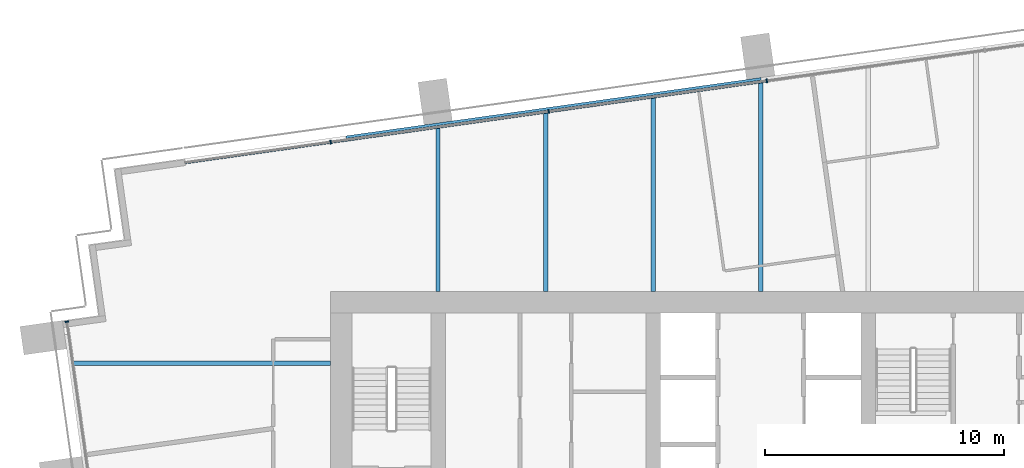
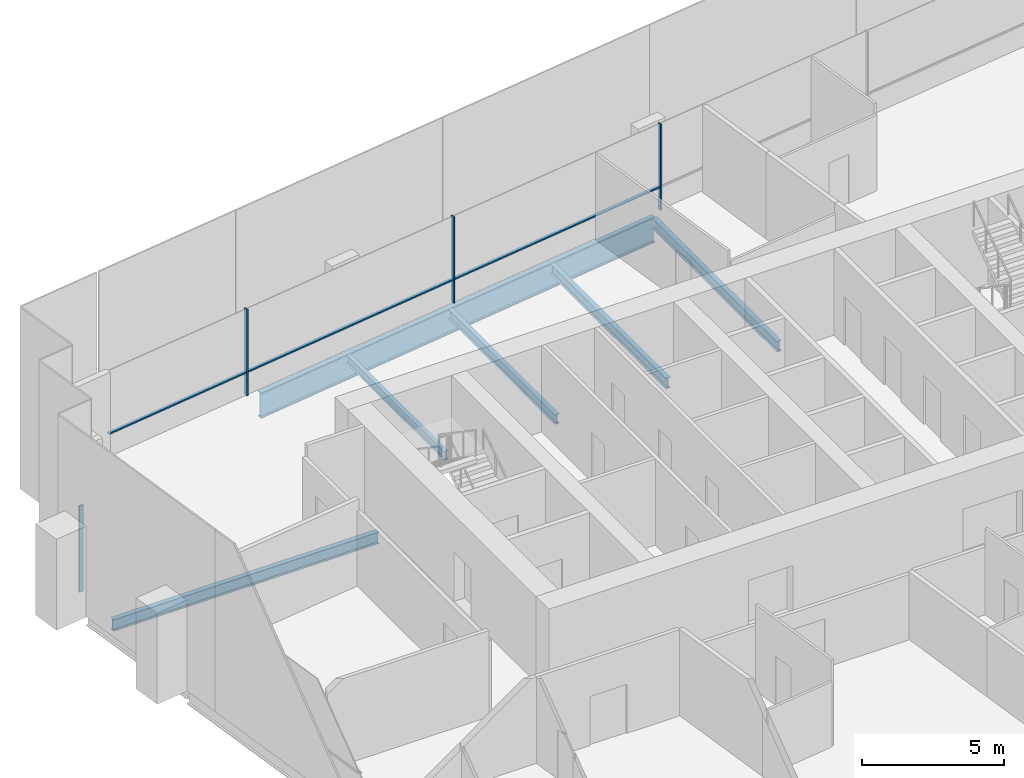
# One storey, part 6 of 17: 7 members, 6 beams, 2 elements without a shape of their own.
"""IFC4 building model written with IfcOpenShell, lengths in metres."""

from ifc_helpers import new_model, si_unit, direction, frame, origin, origin_2d, place, context, subcontext, project, spatial, rectangle, i_section, extrude, material, material_profile, profile_set, type_object, element, aggregate, save


model = new_model("IFC4")

# Units and contexts
model_context = context("Model", 3, precision=1e-05, world=origin(), true_north=direction((0.0, 1.0)))
body_context = subcontext(model_context, "Body", "Model", "MODEL_VIEW")
ifc_project = project(units=[si_unit("LENGTHUNIT", "METRE"), si_unit("AREAUNIT", "SQUARE_METRE"), si_unit("VOLUMEUNIT", "CUBIC_METRE"), si_unit("PLANEANGLEUNIT", "RADIAN"), si_unit("MASSUNIT", "GRAM", prefix="KILO")], contexts=[model_context])

# Site, building, storey
site_placement = place(None, origin())
site = spatial("IfcSite", under=ifc_project, at=site_placement, CompositionType="ELEMENT")
building_placement = place(site_placement, origin())
building = spatial("IfcBuilding", under=site, at=building_placement, Name="Rattan Terrace Tower", CompositionType="ELEMENT")
storey_placement = place(building_placement, frame((0.0, 0.0, 191.89990234375)))
storey = spatial("IfcBuildingStorey", under=building, at=storey_placement, Name="L44", CompositionType="ELEMENT", Elevation=191.89990234375)

# Curtain wall, members
ifc_material_1 = material(Name="Aluminium and glass", Category="aluminium")
curtain_wall_type = type_object("IfcCurtainWallType", Name="Facade Unitised Curtain Wall", PredefinedType="NOTDEFINED", material=ifc_material_1)
curtain_wall_1_placement = place(storey_placement, origin())
curtain_wall_1 = element("IfcCurtainWall", 1, at=curtain_wall_1_placement, inside=storey, type_object=curtain_wall_type, Name="Curtain wall L44-2", PredefinedType="NOTDEFINED")
ifc_material_2 = material(Name="Aluminium", Category="aluminium")
ifc_material_profile_1 = material_profile(ifc_material_2, rectangle(XDim=0.06005859375, YDim=0.159912109375, at=origin_2d()), Name="Aluminium 60x160")
ifc_profile_set_1 = profile_set([ifc_material_profile_1], Name="Aluminium")
member_type_1 = type_object("IfcMemberType", Name="Facade CW Mullion 60x160", PredefinedType="MULLION", material=ifc_profile_set_1)
member_1_placement = place(storey_placement, frame((0.25, 16.3125, 0.0), z_axis=(0.0, 0.0, 1.0), x_axis=(-0.990269702686, -0.139161474347, 0.0)))
member_1 = element("IfcMember", 2, at=member_1_placement, type_object=member_type_1, Name="Mullion cwl-L44-002.3", PredefinedType="MULLION", context=body_context, shape_type="SweptSolid", body=[
    extrude(rectangle(XDim=0.06005859375, YDim=0.159912109375, at=origin_2d()), origin(), (0.0, 0.0, 1.0), 3.7001953125),
])
member_2_placement = place(storey_placement, frame((-8.873291015625, 15.0302734375, 0.0), z_axis=(0.0, 0.0, 1.0), x_axis=(-0.990269702686, -0.139161474347, 0.0)))
member_2 = element("IfcMember", 3, at=member_2_placement, type_object=member_type_1, Name="Mullion cwl-L44-002.4", PredefinedType="MULLION", context=body_context, shape_type="SweptSolid", body=[
    extrude(rectangle(XDim=0.06005859375, YDim=0.159912109375, at=origin_2d()), origin(), (0.0, 0.0, 1.0), 3.7001953125),
])
member_3_placement = place(storey_placement, frame((-17.996826171875, 13.748291015625, 0.0), z_axis=(0.0, 0.0, 1.0), x_axis=(-0.990269702686, -0.139161474347, 0.0)))
member_3 = element("IfcMember", 4, at=member_3_placement, type_object=member_type_1, Name="Mullion cwl-L44-002.5", PredefinedType="MULLION", context=body_context, shape_type="SweptSolid", body=[
    extrude(rectangle(XDim=0.06005859375, YDim=0.159912109375, at=origin_2d()), origin(), (0.0, 0.0, 1.0), 3.7001953125),
])

# Curtain wall, member
curtain_wall_2_placement = place(storey_placement, origin())
curtain_wall_2 = element("IfcCurtainWall", 5, at=curtain_wall_2_placement, inside=storey, type_object=curtain_wall_type, Name="Curtain wall L44-3", PredefinedType="NOTDEFINED")
member_4_placement = place(storey_placement, frame((-29.037109375, 6.2333984375, 0.0), z_axis=(0.0, 0.0, 1.0), x_axis=(0.139190856006, -0.99026557327, 0.0)))
member_4 = element("IfcMember", 6, at=member_4_placement, type_object=member_type_1, Name="Mullion cwl-L44-003.1", PredefinedType="MULLION", context=body_context, shape_type="SweptSolid", body=[
    extrude(rectangle(XDim=0.06005859375, YDim=0.159912109375, at=origin_2d()), origin(), (0.0, 0.0, 1.0), 3.7001953125),
])
aggregate(curtain_wall_2, [member_4])

# Member
ifc_material_3 = material(Name="Aluminium", Category="aluminium")
ifc_material_profile_2 = material_profile(ifc_material_3, rectangle(XDim=0.1201171875, YDim=0.06005859375, at=origin_2d()), Name="Aluminium 120x60")
ifc_profile_set_2 = profile_set([ifc_material_profile_2], Name="Aluminium")
member_type_2 = type_object("IfcMemberType", Name="Facade CW Transom 120x60", PredefinedType="USERDEFINED", material=ifc_profile_set_2)
member_5_placement = place(storey_placement, frame((0.22021484375, 16.308349609375, 1.0), z_axis=(-0.990267035849, -0.139180450171, 0.0), x_axis=(0.139180450171, -0.990267035849, 0.0)))
member_5 = element("IfcMember", 7, at=member_5_placement, type_object=member_type_2, Name="Transom cwl-L44-002.3", ObjectType="TRANSOM", PredefinedType="USERDEFINED", context=body_context, shape_type="SweptSolid", body=[
    extrude(rectangle(XDim=0.1201171875, YDim=0.06005859375, at=origin_2d()), origin(), (0.0, 0.0, 1.0), 9.153076171875),
])

member_6_placement = place(storey_placement, frame((-8.903076171875, 15.026123046875, 1.0), z_axis=(-0.990270711765, -0.139154293575, 0.0), x_axis=(0.139154293575, -0.990270711765, 0.0)))
member_6 = element("IfcMember", 8, at=member_6_placement, type_object=member_type_2, Name="Transom cwl-L44-002.4", ObjectType="TRANSOM", PredefinedType="USERDEFINED", context=body_context, shape_type="SweptSolid", body=[
    extrude(rectangle(XDim=0.1201171875, YDim=0.06005859375, at=origin_2d()), origin(), (0.0, 0.0, 1.0), 9.153076171875),
])

member_7_placement = place(storey_placement, frame((-18.0263671875, 13.744140625, 1.0), z_axis=(-0.990267752185, -0.139175353357, 0.0), x_axis=(0.139175353357, -0.990267752185, 0.0)))
member_7 = element("IfcMember", 9, at=member_7_placement, type_object=member_type_2, Name="Transom cwl-L44-002.5", ObjectType="TRANSOM", PredefinedType="USERDEFINED", context=body_context, shape_type="SweptSolid", body=[
    extrude(rectangle(XDim=0.1201171875, YDim=0.06005859375, at=origin_2d()), origin(), (0.0, 0.0, 1.0), 6.11865234375),
])

aggregate(curtain_wall_1, [member_1, member_2, member_3, member_5, member_6, member_7])

# Beams
ifc_material_4 = material(Name="Steel S460", Category="steel")
ifc_material_profile_3 = material_profile(ifc_material_4, i_section(OverallWidth=0.179931640625, OverallDepth=1.10009765625, WebThickness=0.01611328125, FlangeThickness=0.050048828125, at=origin_2d()), Name="PG 1100x180-16-50")
ifc_profile_set_3 = profile_set([ifc_material_profile_3], Name="Steel S460")
beam_type_1 = type_object("IfcBeamType", Name="Frame edge girder PG 1100x180-16-50", PredefinedType="SPANDREL", material=ifc_profile_set_3)
beam_1_placement = place(storey_placement, frame((-17.347900390625, 13.9208984375, -0.75), z_axis=(0.990273554652, 0.139134061096, 0.0), x_axis=(-0.139134061096, 0.990273554652, 0.0)))
element("IfcBeam", 10, at=beam_1_placement, inside=storey, type_object=beam_type_1, Name="gdr-L44-006", PredefinedType="SPANDREL", context=body_context, shape_type="SweptSolid", body=[
    extrude(i_section(OverallWidth=0.179931640625, OverallDepth=1.10009765625, WebThickness=0.01611328125, FlangeThickness=0.050048828125, at=origin_2d()), origin(), (0.0, 0.0, 1.0), 17.53125),
])
ifc_material_5 = material(Name="Steel S355", Category="steel")
ifc_material_profile_4 = material_profile(ifc_material_5, i_section(OverallWidth=0.169921875, OverallDepth=0.360107421875, WebThickness=0.008056640625, FlangeThickness=0.0126953125, FilletRadius=0.01806640625, at=origin_2d()), Name="IPE 360")
ifc_profile_set_4 = profile_set([ifc_material_profile_4], Name="Steel S355")
beam_type_2 = type_object("IfcBeamType", Name="Frame floor beam IPE 360", PredefinedType="JOIST", material=ifc_profile_set_4)
beam_2_placement = place(storey_placement, frame((-13.5, 7.5, -0.3798828125), z_axis=(0.0, 1.0, 0.0), x_axis=(-1.0, 0.0, 0.0)))
element("IfcBeam", 11, at=beam_2_placement, inside=storey, type_object=beam_type_2, Name="bm-L44-016", PredefinedType="JOIST", context=body_context, shape_type="SweptSolid", body=[
    extrude(i_section(OverallWidth=0.169921875, OverallDepth=0.360107421875, WebThickness=0.008056640625, FlangeThickness=0.0126953125, FilletRadius=0.01806640625, at=origin_2d()), origin(), (0.0, 0.0, 1.0), 6.85888671875),
])
ifc_material_6 = material(Name="Steel S355", Category="steel")
ifc_material_profile_5 = material_profile(ifc_material_6, i_section(OverallWidth=0.179931640625, OverallDepth=0.39990234375, WebThickness=0.008544921875, FlangeThickness=0.013427734375, FilletRadius=0.02099609375, at=origin_2d()), Name="IPE 400")
ifc_profile_set_5 = profile_set([ifc_material_profile_5], Name="Steel S355")
beam_type_3 = type_object("IfcBeamType", Name="Frame floor beam IPE 400", PredefinedType="JOIST", material=ifc_profile_set_5)
beam_3_placement = place(storey_placement, frame((-9.0, 7.5, -0.39990234375), z_axis=(0.0, 1.0, 0.0), x_axis=(-1.0, 0.0, 0.0)))
element("IfcBeam", 12, at=beam_3_placement, inside=storey, type_object=beam_type_3, Name="bm-L44-017", PredefinedType="JOIST", context=body_context, shape_type="SweptSolid", body=[
    extrude(i_section(OverallWidth=0.179931640625, OverallDepth=0.39990234375, WebThickness=0.008544921875, FlangeThickness=0.013427734375, FilletRadius=0.02099609375, at=origin_2d()), origin(), (0.0, 0.0, 1.0), 7.489990234375),
])
ifc_material_7 = material(Name="Steel S355", Category="steel")
ifc_material_profile_6 = material_profile(ifc_material_7, i_section(OverallWidth=0.18994140625, OverallDepth=0.449951171875, WebThickness=0.009521484375, FlangeThickness=0.0146484375, FilletRadius=0.02099609375, at=origin_2d()), Name="IPE 450")
ifc_profile_set_6 = profile_set([ifc_material_profile_6], Name="Steel S355")
beam_type_4 = type_object("IfcBeamType", Name="Frame floor beam IPE 450", PredefinedType="JOIST", material=ifc_profile_set_6)
beam_4_placement = place(storey_placement, frame((-4.5, 7.5, -0.4248046875), z_axis=(0.0, 1.0, 0.0), x_axis=(-1.0, 0.0, 0.0)))
element("IfcBeam", 13, at=beam_4_placement, inside=storey, type_object=beam_type_4, Name="bm-L44-018", PredefinedType="JOIST", context=body_context, shape_type="SweptSolid", body=[
    extrude(i_section(OverallWidth=0.18994140625, OverallDepth=0.449951171875, WebThickness=0.009521484375, FlangeThickness=0.0146484375, FilletRadius=0.02099609375, at=origin_2d()), origin(), (0.0, 0.0, 1.0), 8.1220703125),
])
beam_5_placement = place(storey_placement, frame((0.0, 7.5, -0.4248046875), z_axis=(0.0, 1.0, 0.0), x_axis=(-1.0, 0.0, 0.0)))
element("IfcBeam", 14, at=beam_5_placement, inside=storey, type_object=beam_type_4, Name="bm-L44-019", PredefinedType="JOIST", context=body_context, shape_type="SweptSolid", body=[
    extrude(i_section(OverallWidth=0.18994140625, OverallDepth=0.449951171875, WebThickness=0.009521484375, FlangeThickness=0.0146484375, FilletRadius=0.02099609375, at=origin_2d()), origin(), (0.0, 0.0, 1.0), 8.75390625),
])
ifc_material_8 = material(Name="Steel S355", Category="steel")
ifc_material_profile_7 = material_profile(ifc_material_8, i_section(OverallWidth=0.199951171875, OverallDepth=0.5, WebThickness=0.01025390625, FlangeThickness=0.01611328125, FilletRadius=0.02099609375, at=origin_2d()), Name="IPE 500")
ifc_profile_set_7 = profile_set([ifc_material_profile_7], Name="Steel S355")
beam_type_5 = type_object("IfcBeamType", Name="Frame floor beam IPE 500", PredefinedType="JOIST", material=ifc_profile_set_7)
beam_6_placement = place(storey_placement, frame((-28.77001953125, 4.5, -0.449951171875), z_axis=(1.0, 0.0, 0.0), x_axis=(0.0, 1.0, 0.0)))
element("IfcBeam", 15, at=beam_6_placement, inside=storey, type_object=beam_type_5, Name="bm-L44-014", PredefinedType="JOIST", context=body_context, shape_type="SweptSolid", body=[
    extrude(i_section(OverallWidth=0.199951171875, OverallDepth=0.5, WebThickness=0.01025390625, FlangeThickness=0.01611328125, FilletRadius=0.02099609375, at=origin_2d()), origin(), (0.0, 0.0, 1.0), 10.77001953125),
])

save(model, "model.ifc")
